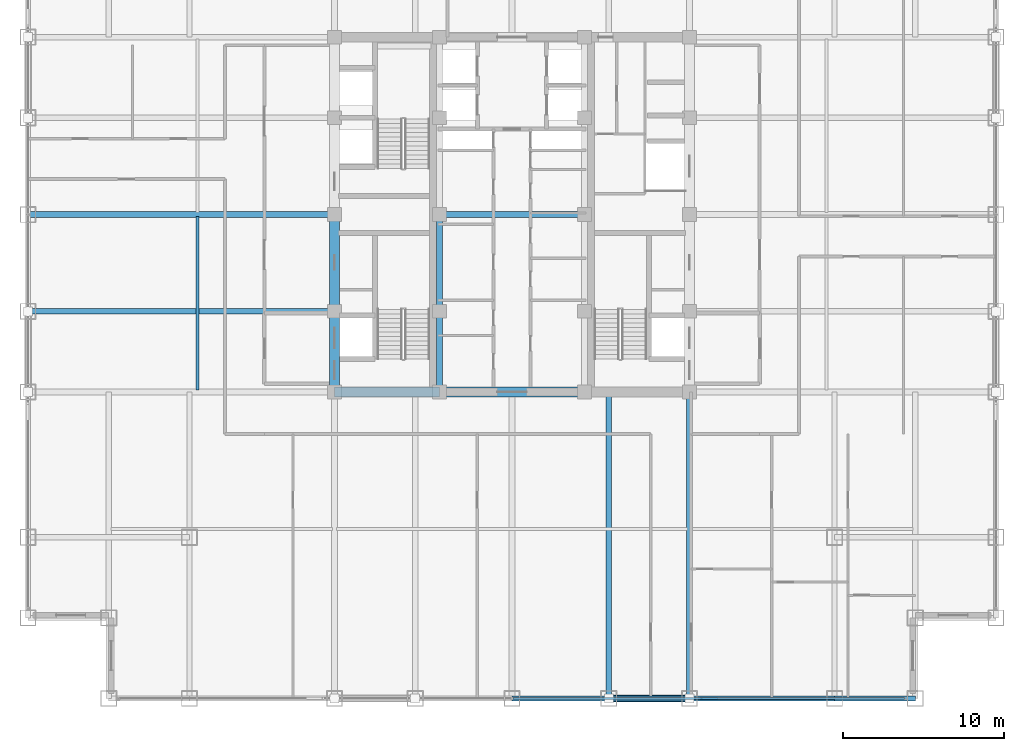
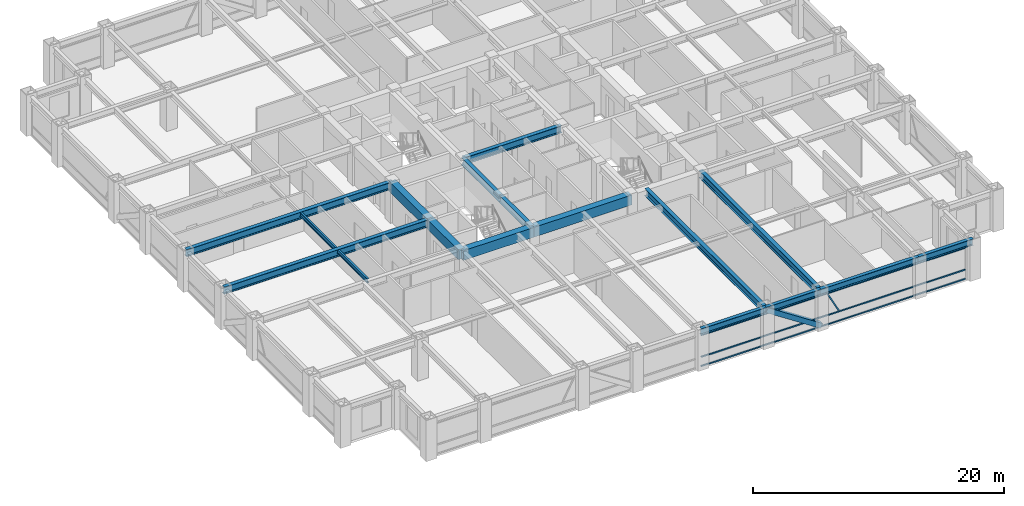
# One storey, part 7 of 25: 16 beams, 5 members, 1 element without a shape of its own.
"""IFC4 building model written with IfcOpenShell, lengths in metres."""

import ifcopenshell
import ifcopenshell.guid

model = None  # the IFC model being written
_history = None  # IfcOwnerHistory: only IFC2X3 demands one
_inside = {}  # id of a spatial element -> (the spatial element, [elements in it])
_under = {}  # id of a project, library or spatial element -> (it, [spatial elements below it])
_declared = {}  # id of a project -> (the project, [libraries it declares])
_typed = {}  # id of a type object -> (the type object, [elements of that type])
_made_of = {}  # id of a material, layer set ... -> (it, [elements and type objects made of it])


def new_model(schema):
    """Start an empty IFC model of exactly this schema.

    Asked for "IFC4X3", IfcOpenShell would pick the latest addendum, in which some entities
    have other attributes; the version numbers below select the first issue.
    IFC2X3 requires an IfcOwnerHistory on every rooted entity: one is made here for all.
    """
    global model, _history
    if schema == "IFC4X3":
        model = ifcopenshell.file(schema_version=(4, 3, 0, 0))
    else:
        model = ifcopenshell.file(schema=schema)
    _inside.clear()
    _under.clear()
    _declared.clear()
    _typed.clear()
    _made_of.clear()
    _history = None
    if model.schema == "IFC2X3":
        org = make("IfcOrganization", Name="unknown")
        user = make(
            "IfcPersonAndOrganization",
            ThePerson=make("IfcPerson", FamilyName="unknown"),
            TheOrganization=org,
        )
        app = make(
            "IfcApplication",
            ApplicationDeveloper=org,
            Version="unknown",
            ApplicationFullName="unknown",
            ApplicationIdentifier="unknown",
        )
        _history = make(
            "IfcOwnerHistory",
            OwningUser=user,
            OwningApplication=app,
            ChangeAction="ADDED",
            CreationDate=0,
        )
    return model


def make(cls, **values):
    """One entity of the class cls with the attributes given. An attribute that is None is left unset."""
    return model.create_entity(
        cls, **{name: value for name, value in values.items() if value is not None}
    )


def rooted(cls, **values):
    """An entity with a GlobalId (a new one), such as an element, a storey or a relation."""
    return make(cls, GlobalId=ifcopenshell.guid.new(), OwnerHistory=_history, **values)


def si_unit(unit_type, name, prefix=None):
    """IfcSIUnit, for example si_unit("LENGTHUNIT", "METRE", prefix="MILLI")."""
    return make("IfcSIUnit", UnitType=unit_type, Prefix=prefix, Name=name)


def assignment(units):
    """IfcUnitAssignment: the units of a project."""
    return None if units is None else make("IfcUnitAssignment", Units=units)


def point(xyz):
    """IfcCartesianPoint."""
    return None if xyz is None else make("IfcCartesianPoint", Coordinates=xyz)


def direction(xyz):
    """IfcDirection."""
    return None if xyz is None else make("IfcDirection", DirectionRatios=xyz)


def frame(location, z_axis=None, x_axis=None):
    """IfcAxis2Placement3D, a coordinate frame: its origin and axes. An axis left out is left unset."""
    return make(
        "IfcAxis2Placement3D",
        Location=point(location),
        Axis=direction(z_axis),
        RefDirection=direction(x_axis),
    )


def frame_2d(location, x_axis=None):
    """IfcAxis2Placement2D, a coordinate frame in the plane: its origin and x axis."""
    return make(
        "IfcAxis2Placement2D", Location=point(location), RefDirection=direction(x_axis)
    )


def origin():
    """The frame at (0, 0, 0) with its axes left unset."""
    return frame((0.0, 0.0, 0.0))


def origin_2d():
    """The frame at (0, 0) in the plane with its x axis left unset."""
    return frame_2d((0.0, 0.0))


def place(relative_to, where):
    """IfcLocalPlacement: puts the frame where relative to a parent placement (None: the world)."""
    return make(
        "IfcLocalPlacement", PlacementRelTo=relative_to, RelativePlacement=where
    )


def context(
    kind, dimensions, precision=None, world=None, true_north=None, identifier=None
):
    """IfcGeometricRepresentationContext, for example the 3D "Model" context."""
    return make(
        "IfcGeometricRepresentationContext",
        ContextIdentifier=identifier,
        ContextType=kind,
        CoordinateSpaceDimension=dimensions,
        Precision=precision,
        WorldCoordinateSystem=world,
        TrueNorth=true_north,
    )


def subcontext(parent, identifier, kind, view, scale=None):
    """IfcGeometricRepresentationSubContext, for example "Body" below "Model"."""
    return make(
        "IfcGeometricRepresentationSubContext",
        ContextIdentifier=identifier,
        ContextType=kind,
        ParentContext=parent,
        TargetScale=scale,
        TargetView=view,
    )


def project(units=None, contexts=None):
    """IfcProject with its units and contexts."""
    return rooted(
        "IfcProject",
        Name="project",
        RepresentationContexts=contexts,
        UnitsInContext=assignment(units),
    )


def spatial(cls, under=None, at=None, **own):
    """A site, building, storey or space (cls), placed at a placement, below another one or the project."""
    s = rooted(cls, ObjectPlacement=at, **own)
    if under is not None:
        _under.setdefault(under.id(), (under, []))[1].append(s)
    return s


def profile(cls, at=None, kind="AREA", **sizes):
    """A parametric profile (cls). Its sizes go by their IFC names, for example OverallWidth=200.0."""
    return make(cls, ProfileType=kind, Position=at, **sizes)


def rectangle(**sizes):
    """IfcRectangleProfileDef."""
    return profile("IfcRectangleProfileDef", **sizes)


def hollow_rectangle(**sizes):
    """IfcRectangleHollowProfileDef."""
    return profile("IfcRectangleHollowProfileDef", **sizes)


def i_section(**sizes):
    """IfcIShapeProfileDef."""
    return profile("IfcIShapeProfileDef", **sizes)


def extrude(swept, where, along, depth):
    """IfcExtrudedAreaSolid: the profile swept, set in the frame where, extruded along a direction by depth."""
    return make(
        "IfcExtrudedAreaSolid",
        SweptArea=swept,
        Position=where,
        ExtrudedDirection=direction(along),
        Depth=depth,
    )


def shape(context_of_items, identifier, shape_type, items):
    """IfcShapeRepresentation: the items that make up one representation, for example the "Body"."""
    return make(
        "IfcShapeRepresentation",
        ContextOfItems=context_of_items,
        RepresentationIdentifier=identifier,
        RepresentationType=shape_type,
        Items=items,
    )


def source(mapping_origin, context_of_items, identifier, shape_type, items):
    """IfcRepresentationMap: a shape defined once, which mapped items show again and again."""
    return make(
        "IfcRepresentationMap",
        MappingOrigin=mapping_origin,
        MappedRepresentation=shape(context_of_items, identifier, shape_type, items),
    )


def transform(
    local_origin,
    x_axis=None,
    y_axis=None,
    z_axis=None,
    scale=None,
    scale2=None,
    scale3=None,
    uniform=True,
):
    """IfcCartesianTransformationOperator3D, or its non-uniform kind. x_axis, y_axis, z_axis: its Axis1, 2, 3."""
    if uniform:
        return make(
            "IfcCartesianTransformationOperator3D",
            Axis1=direction(x_axis),
            Axis2=direction(y_axis),
            LocalOrigin=point(local_origin),
            Scale=scale,
            Axis3=direction(z_axis),
        )
    return make(
        "IfcCartesianTransformationOperator3DnonUniform",
        Axis1=direction(x_axis),
        Axis2=direction(y_axis),
        LocalOrigin=point(local_origin),
        Scale=scale,
        Axis3=direction(z_axis),
        Scale2=scale2,
        Scale3=scale3,
    )


def mapped(mapping_source, mapping_target):
    """IfcMappedItem: shows the shape of a source again, moved by a transform."""
    return make(
        "IfcMappedItem", MappingSource=mapping_source, MappingTarget=mapping_target
    )


def material(Name=None, Category=None):
    """IfcMaterial."""
    return make("IfcMaterial", Name=Name, Category=Category)


def material_profile(
    of_material, cross_section, Name=None, Category=None, Priority=None
):
    """IfcMaterialProfile: a cross section and its material."""
    return make(
        "IfcMaterialProfile",
        Name=Name,
        Material=of_material,
        Profile=cross_section,
        Priority=Priority,
        Category=Category,
    )


def profile_set(profiles, Name=None, composite=None):
    """IfcMaterialProfileSet."""
    return make(
        "IfcMaterialProfileSet",
        Name=Name,
        MaterialProfiles=profiles,
        CompositeProfile=composite,
    )


def made_of(thing, what):
    """Note that an element or type object is made of a material, layer set ...; save() writes the relation."""
    if what is not None:
        _made_of.setdefault(what.id(), (what, []))[1].append(thing)
    return thing


def type_object(cls, material=None, **own):
    """A type object (cls), such as IfcWallType, which elements share."""
    return made_of(rooted(cls, **own), material)


def element(
    cls,
    number,
    at=None,
    inside=None,
    cuts=None,
    type_object=None,
    material=None,
    context=None,
    identifier="Body",
    shape_type=None,
    held_by="IfcProductDefinitionShape",
    body=None,
    shapes=None,
    **own,
):
    """One element of the class cls, such as IfcWall. Its Tag is "e" and its number.

    at: its placement. inside: the storey or other place that contains it. cuts: it is an
    opening in that element (IfcRelVoidsElement). A single representation is given by context,
    identifier, shape_type and body (its items); several are given by shapes. held_by: the class
    of the entity that holds the representations. save() writes the other relations.
    """
    e = rooted(cls, Tag="e%d" % number, ObjectPlacement=at, **own)
    if body is not None:
        shapes = [shape(context, identifier, shape_type, body)]
    if shapes is not None:
        e.Representation = make(held_by, Representations=shapes)
    if inside is not None:
        _inside.setdefault(inside.id(), (inside, []))[1].append(e)
    if cuts is not None:
        rooted(
            "IfcRelVoidsElement", RelatingBuildingElement=cuts, RelatedOpeningElement=e
        )
    if type_object is not None:
        _typed.setdefault(type_object.id(), (type_object, []))[1].append(e)
    return made_of(e, material)


def aggregate(whole, parts):
    """IfcRelAggregates: a whole, such as a stair, and the parts it consists of."""
    return rooted("IfcRelAggregates", RelatingObject=whole, RelatedObjects=parts)


def save(model, path):
    """Write the relations noted so far, then the file.

    IfcRelAggregates (storeys below a building ...), IfcRelContainedInSpatialStructure (elements
    in a storey), IfcRelDefinesByType, IfcRelAssociatesMaterial and IfcRelDeclares: one each for
    every whole, place, type object, material and project.
    """
    for whole, parts in _under.values():
        aggregate(whole, parts)
    for where, things in _inside.values():
        rooted(
            "IfcRelContainedInSpatialStructure",
            RelatedElements=things,
            RelatingStructure=where,
        )
    for kind, things in _typed.values():
        rooted("IfcRelDefinesByType", RelatedObjects=things, RelatingType=kind)
    for what, things in _made_of.values():
        rooted("IfcRelAssociatesMaterial", RelatedObjects=things, RelatingMaterial=what)
    for by, libraries in _declared.values():
        rooted("IfcRelDeclares", RelatingContext=by, RelatedDefinitions=libraries)
    model.write(path)


model = new_model("IFC4")

# Units and contexts
model_context = context("Model", 3, precision=1e-05, world=origin(), true_north=direction((0.0, 1.0)))
body_context = subcontext(model_context, "Body", "Model", "MODEL_VIEW")
ifc_project = project(units=[si_unit("LENGTHUNIT", "METRE"), si_unit("AREAUNIT", "SQUARE_METRE"), si_unit("VOLUMEUNIT", "CUBIC_METRE"), si_unit("PLANEANGLEUNIT", "RADIAN"), si_unit("MASSUNIT", "GRAM", prefix="KILO")], contexts=[model_context])

# Site, building, storey
site_placement = place(None, origin())
site = spatial("IfcSite", under=ifc_project, at=site_placement, CompositionType="ELEMENT")
building_placement = place(site_placement, origin())
building = spatial("IfcBuilding", under=site, at=building_placement, Name="Khorayat Bourse Tower", CompositionType="ELEMENT")
storey_placement = place(building_placement, frame((0.0, 0.0, 255.10009765625)))
storey = spatial("IfcBuildingStorey", under=building, at=storey_placement, Name="L60", CompositionType="ELEMENT", Elevation=255.10009765625)

# Beams
ifc_material_1 = material(Name="Steel ASTM A992 Grade 50", Category="steel")
ifc_material_profile_1 = material_profile(ifc_material_1, i_section(OverallWidth=0.35498046875, OverallDepth=0.695068359375, WebThickness=0.015380859375, FlangeThickness=0.02490234375, FilletRadius=0.01806640625, at=origin_2d()), Name="W690X217")
ifc_profile_set_1 = profile_set([ifc_material_profile_1], Name="Steel ASTM A992 Grade 50")
beam_type_1 = type_object("IfcBeamType", Name="BM-GIRD-690", PredefinedType="BEAM", material=ifc_profile_set_1)
shared_shape_1 = source(origin(), body_context, "Body", "SweptSolid", [
    extrude(i_section(OverallWidth=0.35498046875, OverallDepth=0.695068359375, WebThickness=0.015380859375, FlangeThickness=0.02490234375, FilletRadius=0.01806640625, at=origin_2d()), origin(), (0.0, 0.0, 1.0), 5.0),
])
beam_1_placement = place(storey_placement, frame((-4.5, -11.0, 3.432373046875), z_axis=(0.0, 1.0, 0.0), x_axis=(-1.0, 0.0, 0.0)))
element("IfcBeam", 1, at=beam_1_placement, inside=storey, type_object=beam_type_1, Name="L60 BM-GIRD-690 BM-L60-CRX-05", PredefinedType="BEAM", context=body_context, shape_type="MappedRepresentation", body=[
    mapped(shared_shape_1, transform((0.0, 0.0, 0.0), scale=1.0)),
])
shared_shape_2 = source(origin(), body_context, "Body", "SweptSolid", [
    extrude(i_section(OverallWidth=0.35498046875, OverallDepth=0.695068359375, WebThickness=0.015380859375, FlangeThickness=0.02490234375, FilletRadius=0.01806640625, at=origin_2d()), origin(), (0.0, 0.0, 1.0), 6.0),
])
beam_2_placement = place(storey_placement, frame((-4.5, -6.0, 3.432373046875), z_axis=(0.0, 1.0, 0.0), x_axis=(-1.0, 0.0, 0.0)))
element("IfcBeam", 2, at=beam_2_placement, inside=storey, type_object=beam_type_1, Name="L60 BM-GIRD-690 BM-L60-CRX-06", PredefinedType="BEAM", context=body_context, shape_type="MappedRepresentation", body=[
    mapped(shared_shape_2, transform((0.0, 0.0, 0.0), scale=1.0)),
])
shared_shape_3 = source(origin(), body_context, "Body", "SweptSolid", [
    extrude(i_section(OverallWidth=0.35498046875, OverallDepth=0.695068359375, WebThickness=0.015380859375, FlangeThickness=0.02490234375, FilletRadius=0.01806640625, at=origin_2d()), origin(), (0.0, 0.0, 1.0), 9.0),
])
beam_3_placement = place(storey_placement, frame((-4.5, 0.0, 3.432373046875), z_axis=(1.0, 0.0, 0.0), x_axis=(0.0, 1.0, 0.0)))
element("IfcBeam", 3, at=beam_3_placement, inside=storey, type_object=beam_type_1, Name="L60 BM-GIRD-690 BM-L60-CRY-23", PredefinedType="BEAM", context=body_context, shape_type="MappedRepresentation", body=[
    mapped(shared_shape_3, transform((0.0, 0.0, 0.0), scale=1.0)),
])
ifc_material_profile_2 = material_profile(ifc_material_1, i_section(OverallWidth=0.180908203125, OverallDepth=0.4169921875, WebThickness=0.010986328125, FlangeThickness=0.018310546875, FilletRadius=0.011962890625, at=origin_2d()), Name="W410X85")
ifc_profile_set_2 = profile_set([ifc_material_profile_2], Name="Steel ASTM A992 Grade 50")
beam_type_2 = type_object("IfcBeamType", Name="BM-JOIST-410", PredefinedType="JOIST", material=ifc_profile_set_2)
shared_shape_4 = source(origin(), body_context, "Body", "SweptSolid", [
    extrude(i_section(OverallWidth=0.180908203125, OverallDepth=0.4169921875, WebThickness=0.010986328125, FlangeThickness=0.018310546875, FilletRadius=0.011962890625, at=origin_2d()), origin(), (0.0, 0.0, 1.0), 10.740234375),
])
beam_4_placement = place(storey_placement, frame((-19.5, -10.8701171875, 3.5712890625), z_axis=(0.0, 1.0, 0.0), x_axis=(-1.0, 0.0, 0.0)))
element("IfcBeam", 4, at=beam_4_placement, inside=storey, type_object=beam_type_2, Name="L60 BM-JOIST-410 BM-L60-JSTY-102", PredefinedType="JOIST", context=body_context, shape_type="MappedRepresentation", body=[
    mapped(shared_shape_4, transform((0.0, 0.0, 0.0), scale=1.0)),
])
ifc_material_profile_3 = material_profile(ifc_material_1, i_section(OverallWidth=0.324951171875, OverallDepth=0.615966796875, WebThickness=0.013916015625, FlangeThickness=0.021484375, FilletRadius=0.01611328125, at=origin_2d()), Name="W610X174")
ifc_profile_set_3 = profile_set([ifc_material_profile_3], Name="Steel ASTM A992 Grade 50")
beam_type_3 = type_object("IfcBeamType", Name="BM-SPAN-610", PredefinedType="SPANDREL", material=ifc_profile_set_3)
shared_shape_5 = source(origin(), body_context, "Body", "SweptSolid", [
    extrude(i_section(OverallWidth=0.324951171875, OverallDepth=0.615966796875, WebThickness=0.013916015625, FlangeThickness=0.021484375, FilletRadius=0.01611328125, at=origin_2d()), origin(), (0.0, 0.0, 1.0), 9.0),
])
beam_5_placement = place(storey_placement, frame((11.0, -30.0, 3.471923828125), z_axis=(1.0, 0.0, 0.0), x_axis=(0.0, 1.0, 0.0)))
element("IfcBeam", 5, at=beam_5_placement, inside=storey, type_object=beam_type_3, Name="L60 BM-SPAN-610 BM-L60-SPN-030", PredefinedType="SPANDREL", context=body_context, shape_type="MappedRepresentation", body=[
    mapped(shared_shape_5, transform((0.0, 0.0, 0.0), scale=1.0)),
])
shared_shape_6 = source(origin(), body_context, "Body", "SweptSolid", [
    extrude(i_section(OverallWidth=0.324951171875, OverallDepth=0.615966796875, WebThickness=0.013916015625, FlangeThickness=0.021484375, FilletRadius=0.01611328125, at=origin_2d()), origin(), (0.0, 0.0, 1.0), 5.0),
])
for number, where, z_axis, x_axis, name in (
    (6, (6.0, -30.0, 3.471923828125), (1.0, 0.0, 0.0), (0.0, 1.0, 0.0), "L60 BM-SPAN-610 BM-L60-SPN-029"),
    (7, (20.0, -30.0, 3.471923828125), (1.0, 0.0, 0.0), (0.0, 1.0, 0.0), "L60 BM-SPAN-610 BM-L60-SPN-031"),
):
    element("IfcBeam", number, at=place(storey_placement, frame(where, z_axis=z_axis, x_axis=x_axis)), inside=storey, type_object=beam_type_3, Name=name, PredefinedType="SPANDREL", context=body_context, shape_type="MappedRepresentation", body=[
        mapped(shared_shape_6, transform((0.0, 0.0, 0.0), scale=1.0)),
    ])
shared_shape_7 = source(origin(), body_context, "Body", "SweptSolid", [
    extrude(i_section(OverallWidth=0.324951171875, OverallDepth=0.615966796875, WebThickness=0.013916015625, FlangeThickness=0.021484375, FilletRadius=0.01611328125, at=origin_2d()), origin(), (0.0, 0.0, 1.0), 6.0),
])
beam_6_placement = place(storey_placement, frame((0.0, -30.0, 3.471923828125), z_axis=(1.0, 0.0, 0.0), x_axis=(0.0, 1.0, 0.0)))
element("IfcBeam", 8, at=beam_6_placement, inside=storey, type_object=beam_type_3, Name="L60 BM-SPAN-610 BM-L60-SPN-028", PredefinedType="SPANDREL", context=body_context, shape_type="MappedRepresentation", body=[
    mapped(shared_shape_7, transform((0.0, 0.0, 0.0), scale=1.0)),
])
ifc_material_2 = material(Name="Concrete C60/75", Category="concrete")
ifc_material_profile_4 = material_profile(ifc_material_2, rectangle(XDim=0.60009765625, YDim=0.949951171875, at=origin_2d()), Name="RC 600x950")
ifc_profile_set_4 = profile_set([ifc_material_profile_4], Name="Concrete C60/75")
beam_type_4 = type_object("IfcBeamType", Name="BM-COUP-950", PredefinedType="BEAM", material=ifc_profile_set_4)
shared_shape_8 = source(origin(), body_context, "Body", "SweptSolid", [
    extrude(rectangle(XDim=0.60009765625, YDim=0.949951171875, at=origin_2d()), origin(), (0.0, 0.0, 1.0), 5.0),
])
beam_7_placement = place(storey_placement, frame((-11.0, -11.0, 3.304931640625), z_axis=(0.0, 1.0, 0.0), x_axis=(-1.0, 0.0, 0.0)))
element("IfcBeam", 9, at=beam_7_placement, inside=storey, type_object=beam_type_4, Name="L60 BM-COUP-950 BM-L60-CRX-01", PredefinedType="BEAM", context=body_context, shape_type="MappedRepresentation", body=[
    mapped(shared_shape_8, transform((0.0, 0.0, 0.0), scale=1.0)),
])
shared_shape_9 = source(origin(), body_context, "Body", "SweptSolid", [
    extrude(rectangle(XDim=0.60009765625, YDim=0.949951171875, at=origin_2d()), origin(), (0.0, 0.0, 1.0), 6.0),
])
beam_8_placement = place(storey_placement, frame((-11.0, -6.0, 3.304931640625), z_axis=(0.0, 1.0, 0.0), x_axis=(-1.0, 0.0, 0.0)))
element("IfcBeam", 10, at=beam_8_placement, inside=storey, type_object=beam_type_4, Name="L60 BM-COUP-950 BM-L60-CRX-02", PredefinedType="BEAM", context=body_context, shape_type="MappedRepresentation", body=[
    mapped(shared_shape_9, transform((0.0, 0.0, 0.0), scale=1.0)),
])
shared_shape_10 = source(origin(), body_context, "Body", "SweptSolid", [
    extrude(rectangle(XDim=0.60009765625, YDim=0.949951171875, at=origin_2d()), origin(), (0.0, 0.0, 1.0), 6.5),
])
beam_9_placement = place(storey_placement, frame((-11.0, -11.0, 3.304931640625), z_axis=(1.0, 0.0, 0.0), x_axis=(0.0, 1.0, 0.0)))
element("IfcBeam", 11, at=beam_9_placement, inside=storey, type_object=beam_type_4, Name="L60 BM-COUP-950 BM-L60-CRY-17", PredefinedType="BEAM", context=body_context, shape_type="MappedRepresentation", body=[
    mapped(shared_shape_10, transform((0.0, 0.0, 0.0), scale=1.0)),
])
shared_shape_11 = source(origin(), body_context, "Body", "SweptSolid", [
    extrude(rectangle(XDim=0.60009765625, YDim=0.949951171875, at=origin_2d()), origin(), (0.0, 0.0, 1.0), 9.0),
])
beam_10_placement = place(storey_placement, frame((-4.5, -11.0, 3.304931640625), z_axis=(1.0, 0.0, 0.0), x_axis=(0.0, 1.0, 0.0)))
element("IfcBeam", 12, at=beam_10_placement, inside=storey, type_object=beam_type_4, Name="L60 BM-COUP-950 BM-L60-CRY-18", PredefinedType="BEAM", context=body_context, shape_type="MappedRepresentation", body=[
    mapped(shared_shape_11, transform((0.0, 0.0, 0.0), scale=1.0)),
])
shared_shape_12 = source(origin(), body_context, "Body", "SweptSolid", [
    extrude(i_section(OverallWidth=0.35498046875, OverallDepth=0.695068359375, WebThickness=0.015380859375, FlangeThickness=0.02490234375, FilletRadius=0.01806640625, at=origin_2d()), origin(), (0.0, 0.0, 1.0), 19.0),
])
for number, where, z_axis, x_axis, name in (
    (13, (6.0, -30.0, 3.432373046875), (0.0, 1.0, 0.0), (-1.0, 0.0, 0.0), "L60 BM-GIRD-690 BM-L60-RADY-071"),
    (14, (11.0, -30.0, 3.432373046875), (0.0, 1.0, 0.0), (-1.0, 0.0, 0.0), "L60 BM-GIRD-690 BM-L60-RADY-073"),
    (15, (-30.0, -6.0, 3.432373046875), (1.0, 0.0, 0.0), (0.0, 1.0, 0.0), "L60 BM-GIRD-690 BM-L60-RADX-077"),
    (16, (-30.0, 0.0, 3.432373046875), (1.0, 0.0, 0.0), (0.0, 1.0, 0.0), "L60 BM-GIRD-690 BM-L60-RADX-079"),
):
    element("IfcBeam", number, at=place(storey_placement, frame(where, z_axis=z_axis, x_axis=x_axis)), inside=storey, type_object=beam_type_1, Name=name, PredefinedType="BEAM", context=body_context, shape_type="MappedRepresentation", body=[
        mapped(shared_shape_12, transform((0.0, 0.0, 0.0), scale=1.0)),
    ])

# Member
ifc_material_3 = material(Name="Steel EN 10025-4 S460M", Category="steel")
ifc_material_profile_5 = material_profile(ifc_material_3, hollow_rectangle(XDim=0.449951171875, YDim=0.449951171875, WallThickness=0.02490234375, at=origin_2d()), Name="HSS 450x450x25")
ifc_profile_set_5 = profile_set([ifc_material_profile_5], Name="Steel EN 10025-4 S460M")
member_type_1 = type_object("IfcMemberType", Name="MBR-TUBE-450", PredefinedType="BRACE", material=ifc_profile_set_5)
shared_shape_13 = source(origin(), body_context, "Body", "SweptSolid", [
    extrude(hollow_rectangle(XDim=0.449951171875, YDim=0.449951171875, WallThickness=0.02490234375, at=origin_2d()), origin(), (0.0, 0.0, 1.0), 5.979736328125),
])
member_1_placement = place(storey_placement, frame((6.0, -30.0, 3.52978515625), z_axis=(0.836160261256, 0.0, -0.548485202623), x_axis=(0.0, 1.0, 0.0)))
element("IfcMember", 17, at=member_1_placement, inside=storey, type_object=member_type_1, Name="L60 Perimeter Tube Brace 02", PredefinedType="BRACE", context=body_context, shape_type="MappedRepresentation", body=[
    mapped(shared_shape_13, transform((0.0, 0.0, 0.0), scale=1.0)),
])

# Curtain wall, members
ifc_material_4 = material(Name="Aluminium EN AW-6063 T6", Category="aluminium")
curtain_wall_type = type_object("IfcCurtainWallType", Name="CW-SYS-03", PredefinedType="NOTDEFINED", material=ifc_material_4)
curtain_wall_placement = place(storey_placement, origin())
curtain_wall = element("IfcCurtainWall", 18, at=curtain_wall_placement, inside=storey, type_object=curtain_wall_type, Name="L60 Curtain Wall CW-L60-S1", PredefinedType="NOTDEFINED")
ifc_material_profile_6 = material_profile(ifc_material_4, hollow_rectangle(XDim=0.1201171875, YDim=0.1201171875, WallThickness=0.0048828125, at=origin_2d()), Name="ALU 120x120x5")
ifc_profile_set_6 = profile_set([ifc_material_profile_6], Name="Aluminium EN AW-6063 T6")
member_type_2 = type_object("IfcMemberType", Name="CWM-DIAG-120", PredefinedType="MULLION", material=ifc_profile_set_6)
shared_shape_14 = source(origin(), body_context, "Body", "SweptSolid", [
    extrude(hollow_rectangle(XDim=0.1201171875, YDim=0.1201171875, WallThickness=0.0048828125, at=origin_2d()), origin(), (0.0, 0.0, 1.0), 2.079345703125),
])
member_2_placement = place(storey_placement, frame((12.67919921875, -30.0, 1.08984375), z_axis=(-0.465760949701, 0.0, 0.884910581773), x_axis=(0.0, -1.0, 0.0)))
member_2 = element("IfcMember", 19, at=member_2_placement, type_object=member_type_2, Name="CW-L60-S1 Faceted Diagonal Mullion 2", PredefinedType="MULLION", context=body_context, shape_type="MappedRepresentation", body=[
    mapped(shared_shape_14, transform((0.0, 0.0, 0.0), scale=1.0)),
])
ifc_material_profile_7 = material_profile(ifc_material_4, hollow_rectangle(XDim=0.1201171875, YDim=0.1201171875, WallThickness=0.0048828125, at=origin_2d()), Name="ALU 120x120x5")
ifc_profile_set_7 = profile_set([ifc_material_profile_7], Name="Aluminium EN AW-6063 T6")
member_type_3 = type_object("IfcMemberType", Name="CWT-HORZ-120", PredefinedType="USERDEFINED", material=ifc_profile_set_7)
shared_shape_15 = source(origin(), body_context, "Body", "SweptSolid", [
    extrude(hollow_rectangle(XDim=0.1201171875, YDim=0.1201171875, WallThickness=0.0048828125, at=origin_2d()), origin(), (0.0, 0.0, 1.0), 24.27001953125),
])
member_3_placement = place(storey_placement, frame((0.06005859375, -30.0, 0.059814453125), z_axis=(1.0, 0.0, 0.0), x_axis=(0.0, 1.0, 0.0)))
member_3 = element("IfcMember", 20, at=member_3_placement, type_object=member_type_3, Name="CW-L60-S1 Horizontal Transom 2-1", ObjectType="TRANSOM", PredefinedType="USERDEFINED", context=body_context, shape_type="MappedRepresentation", body=[
    mapped(shared_shape_15, transform((0.0, 0.0, 0.0), scale=1.0)),
])
member_4_placement = place(storey_placement, frame((0.06005859375, -30.0, 0.949951171875), z_axis=(1.0, 0.0, 0.0), x_axis=(0.0, 1.0, 0.0)))
member_4 = element("IfcMember", 21, at=member_4_placement, type_object=member_type_3, Name="CW-L60-S1 Horizontal Transom 2-2", ObjectType="TRANSOM", PredefinedType="USERDEFINED", context=body_context, shape_type="MappedRepresentation", body=[
    mapped(shared_shape_15, transform((0.0, 0.0, 0.0), scale=1.0)),
])
member_5_placement = place(storey_placement, frame((0.06005859375, -30.0, 3.06982421875), z_axis=(1.0, 0.0, 0.0), x_axis=(0.0, 1.0, 0.0)))
member_5 = element("IfcMember", 22, at=member_5_placement, type_object=member_type_3, Name="CW-L60-S1 Horizontal Transom 2-3", ObjectType="TRANSOM", PredefinedType="USERDEFINED", context=body_context, shape_type="MappedRepresentation", body=[
    mapped(shared_shape_15, transform((0.0, 0.0, 0.0), scale=1.0)),
])
aggregate(curtain_wall, [member_3, member_4, member_5, member_2])

save(model, "model.ifc")
